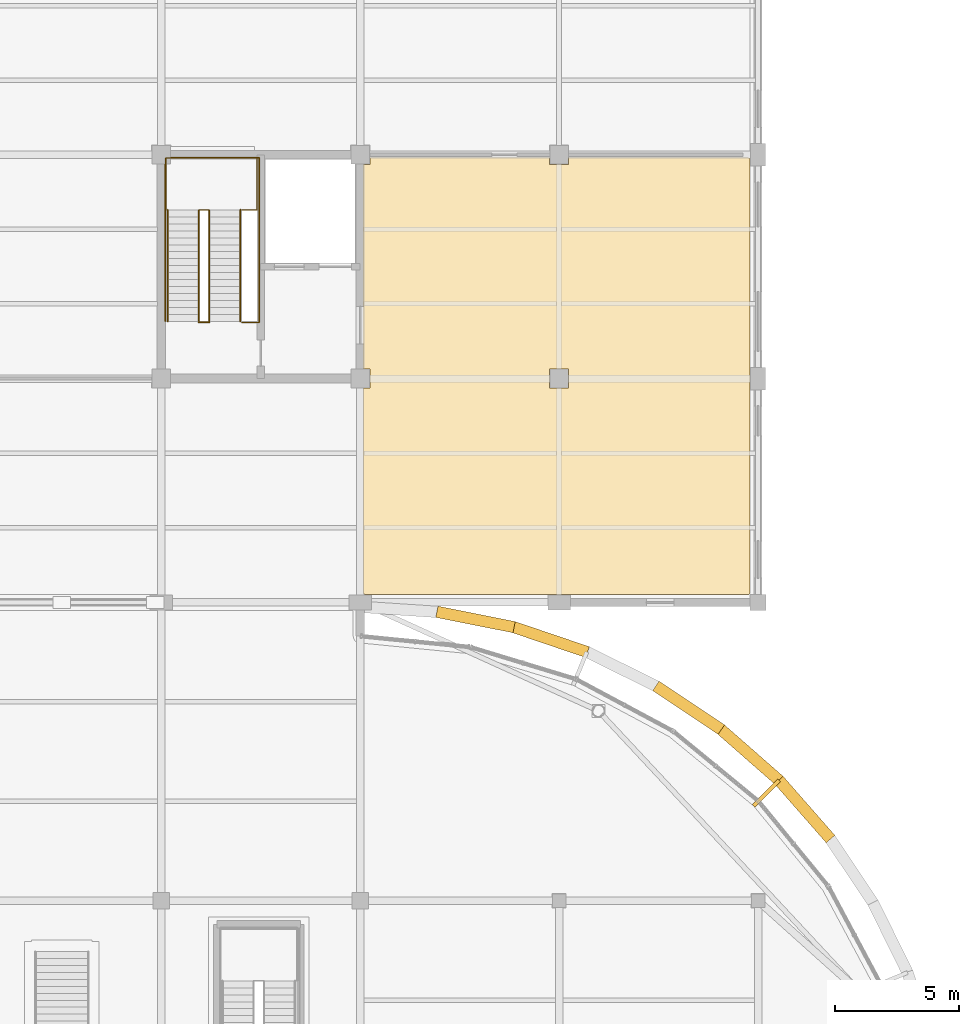
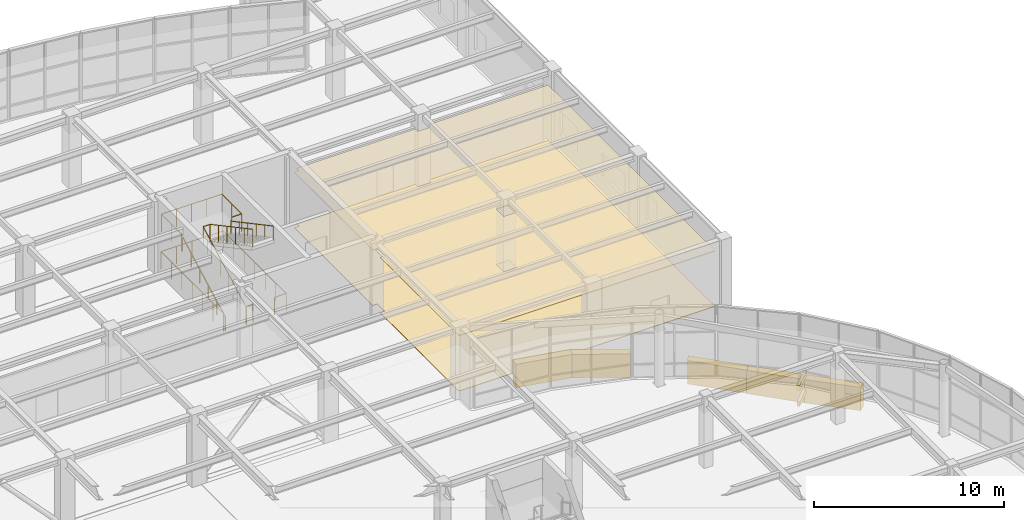
# One storey, part 70 of 72: 9 coverings, 6 railings.
"""IFC4 building model written with IfcOpenShell, lengths in metres."""

from ifc_helpers import new_model, si_unit, direction, frame, frame_2d, origin, origin_2d, place, context, subcontext, project, spatial, polyline, rectangle, circle, outline, extrude, material, layer, layer_set, type_object, element, save


model = new_model("IFC4")

# Units and contexts
model_context = context("Model", 3, precision=1e-05, world=origin(), true_north=direction((0.0, 1.0)))
body_context = subcontext(model_context, "Body", "Model", "MODEL_VIEW")
ifc_project = project(units=[si_unit("LENGTHUNIT", "METRE"), si_unit("AREAUNIT", "SQUARE_METRE"), si_unit("VOLUMEUNIT", "CUBIC_METRE"), si_unit("PLANEANGLEUNIT", "RADIAN"), si_unit("MASSUNIT", "GRAM", prefix="KILO")], contexts=[model_context])

# Site, building, storey
site_placement = place(None, origin())
site = spatial("IfcSite", under=ifc_project, at=site_placement, CompositionType="ELEMENT")
building_placement = place(site_placement, origin())
building = spatial("IfcBuilding", under=site, at=building_placement, Name="Keelwater Ferry Terminal", CompositionType="ELEMENT")
storey_placement = place(building_placement, frame((0.0, 0.0, 5.39990234375)))
storey = spatial("IfcBuildingStorey", under=building, at=storey_placement, Name="L01", CompositionType="ELEMENT", Elevation=5.39990234375)

# Coverings
ifc_material_1 = material(Name="Perforated acoustic gypsum board ceiling", Category="gypsum")
ifc_layer_1 = layer(ifc_material_1, 0.044921875)
ifc_layer_set_1 = layer_set([ifc_layer_1], Name="Perforated acoustic gypsum board ceiling")
covering_type_1 = type_object("IfcCoveringType", Name="CL-AC Acoustic Baffle Ceiling", PredefinedType="CEILING", material=ifc_layer_set_1)
covering_1_placement = place(storey_placement, frame((0.0, 0.0, 3.550048828125)))
element("IfcCovering", 1, at=covering_1_placement, inside=storey, type_object=covering_type_1, Name="Terminal Baggage Handling Store Acoustic Ceiling", PredefinedType="CEILING", context=body_context, shape_type="SweptSolid", body=[
    extrude(outline(polyline([(171.614990234375, 107.87890625), (171.614990234375, 107.614990234375), (172.385009765625, 107.614990234375), (172.385009765625, 107.87890625), (172.386962890625, 107.8798828125), (172.39501953125, 107.8798828125), (179.60009765625, 107.8798828125), (179.60791015625, 107.8798828125), (179.615966796875, 107.8779296875), (179.623046875, 107.876953125), (179.631103515625, 107.8740234375), (179.637939453125, 107.87109375), (179.64404296875, 107.866943359375), (179.65087890625, 107.862060546875), (179.656982421875, 107.85693359375), (179.662109375, 107.85107421875), (179.6669921875, 107.843994140625), (179.6708984375, 107.837890625), (179.674072265625, 107.8310546875), (179.677001953125, 107.822998046875), (179.677978515625, 107.81591796875), (179.679931640625, 107.80810546875), (179.679931640625, 107.800048828125), (179.679931640625, 90.39990234375), (179.679931640625, 90.39208984375), (179.677978515625, 90.384033203125), (179.677001953125, 90.376953125), (179.674072265625, 90.368896484375), (179.6708984375, 90.362060546875), (179.6669921875, 90.35595703125), (179.662109375, 90.34912109375), (179.656982421875, 90.343017578125), (179.65087890625, 90.337890625), (179.64404296875, 90.3330078125), (179.637939453125, 90.3291015625), (179.631103515625, 90.325927734375), (179.623046875, 90.322998046875), (179.615966796875, 90.322021484375), (179.60791015625, 90.320068359375), (179.60009765625, 90.320068359375), (164.199951171875, 90.320068359375), (164.19189453125, 90.320068359375), (164.18408203125, 90.322021484375), (164.177001953125, 90.322998046875), (164.1689453125, 90.325927734375), (164.162109375, 90.3291015625), (164.156005859375, 90.3330078125), (164.14892578125, 90.337890625), (164.14306640625, 90.343017578125), (164.137939453125, 90.34912109375), (164.133056640625, 90.35595703125), (164.12890625, 90.362060546875), (164.1259765625, 90.368896484375), (164.123046875, 90.376953125), (164.1220703125, 90.384033203125), (164.1201171875, 90.39208984375), (164.1201171875, 90.39990234375), (164.1201171875, 98.60498046875), (164.1201171875, 98.613037109375), (164.12109375, 98.614990234375), (164.385009765625, 98.614990234375), (164.385009765625, 99.385009765625), (164.12109375, 99.385009765625), (164.1201171875, 99.386962890625), (164.1201171875, 99.39501953125), (164.1201171875, 107.60498046875), (164.1201171875, 107.613037109375), (164.12109375, 107.614990234375), (164.385009765625, 107.614990234375), (164.385009765625, 107.87890625), (164.386962890625, 107.8798828125), (164.39501953125, 107.8798828125), (171.60498046875, 107.8798828125), (171.613037109375, 107.8798828125), (171.614990234375, 107.87890625)]), holes=[polyline([(171.614990234375, 99.385009765625), (171.614990234375, 98.614990234375), (172.385009765625, 98.614990234375), (172.385009765625, 99.385009765625), (171.614990234375, 99.385009765625)])]), origin(), (0.0, 0.0, 1.0), 0.045166015625),
])
ifc_material_2 = material(Name="Polished mineral terrazzo tile", Category="stone")
ifc_layer_2 = layer(ifc_material_2, 0.030029296875)
ifc_layer_set_2 = layer_set([ifc_layer_2], Name="Polished mineral terrazzo tile")
covering_type_2 = type_object("IfcCoveringType", Name="FL-TZ Marine Terrazzo Flooring", PredefinedType="FLOORING", material=ifc_layer_set_2)
covering_2_placement = place(storey_placement, origin())
element("IfcCovering", 2, at=covering_2_placement, inside=storey, type_object=covering_type_2, Name="Terminal Baggage Handling Store Terrazzo Floor", PredefinedType="FLOORING", context=body_context, shape_type="SweptSolid", body=[
    extrude(outline(polyline([(171.614990234375, 107.87890625), (171.614990234375, 107.614990234375), (172.385009765625, 107.614990234375), (172.385009765625, 107.87890625), (172.386962890625, 107.8798828125), (172.39501953125, 107.8798828125), (179.60009765625, 107.8798828125), (179.60791015625, 107.8798828125), (179.615966796875, 107.8779296875), (179.623046875, 107.876953125), (179.631103515625, 107.8740234375), (179.637939453125, 107.87109375), (179.64404296875, 107.866943359375), (179.65087890625, 107.862060546875), (179.656982421875, 107.85693359375), (179.662109375, 107.85107421875), (179.6669921875, 107.843994140625), (179.6708984375, 107.837890625), (179.674072265625, 107.8310546875), (179.677001953125, 107.822998046875), (179.677978515625, 107.81591796875), (179.679931640625, 107.80810546875), (179.679931640625, 107.800048828125), (179.679931640625, 90.39990234375), (179.679931640625, 90.39208984375), (179.677978515625, 90.384033203125), (179.677001953125, 90.376953125), (179.674072265625, 90.368896484375), (179.6708984375, 90.362060546875), (179.6669921875, 90.35595703125), (179.662109375, 90.34912109375), (179.656982421875, 90.343017578125), (179.65087890625, 90.337890625), (179.64404296875, 90.3330078125), (179.637939453125, 90.3291015625), (179.631103515625, 90.325927734375), (179.623046875, 90.322998046875), (179.615966796875, 90.322021484375), (179.60791015625, 90.320068359375), (179.60009765625, 90.320068359375), (164.199951171875, 90.320068359375), (164.19189453125, 90.320068359375), (164.18408203125, 90.322021484375), (164.177001953125, 90.322998046875), (164.1689453125, 90.325927734375), (164.162109375, 90.3291015625), (164.156005859375, 90.3330078125), (164.14892578125, 90.337890625), (164.14306640625, 90.343017578125), (164.137939453125, 90.34912109375), (164.133056640625, 90.35595703125), (164.12890625, 90.362060546875), (164.1259765625, 90.368896484375), (164.123046875, 90.376953125), (164.1220703125, 90.384033203125), (164.1201171875, 90.39208984375), (164.1201171875, 90.39990234375), (164.1201171875, 98.60498046875), (164.1201171875, 98.613037109375), (164.12109375, 98.614990234375), (164.385009765625, 98.614990234375), (164.385009765625, 99.385009765625), (164.12109375, 99.385009765625), (164.1201171875, 99.386962890625), (164.1201171875, 99.39501953125), (164.1201171875, 107.60498046875), (164.1201171875, 107.613037109375), (164.12109375, 107.614990234375), (164.385009765625, 107.614990234375), (164.385009765625, 107.87890625), (164.386962890625, 107.8798828125), (164.39501953125, 107.8798828125), (171.60498046875, 107.8798828125), (171.613037109375, 107.8798828125), (171.614990234375, 107.87890625)]), holes=[polyline([(171.614990234375, 99.385009765625), (171.614990234375, 98.614990234375), (172.385009765625, 98.614990234375), (172.385009765625, 99.385009765625), (171.614990234375, 99.385009765625)])]), origin(), (0.0, 0.0, 1.0), 0.030029296875),
])

# Railings
ifc_material_3 = material(Name="Painted Steel S355", Category="steel")
railing_type_1 = type_object("IfcRailingType", Name="GR-115 Stair Well Guardrail", PredefinedType="GUARDRAIL", material=ifc_material_3)
railing_1_placement = place(storey_placement, frame((157.510009765625, 101.260009765625, 0.0)))
element("IfcRailing", 3, at=railing_1_placement, inside=storey, type_object=railing_type_1, Name="Stair ST-C3-L00 Slot Threshold Guard 45", PredefinedType="GUARDRAIL", context=body_context, shape_type="SweptSolid", body=[
    extrude(circle(Radius=0.02392578125, at=origin_2d()), frame((0.0, 0.0, 1.1259765625), z_axis=(1.0, 0.0, 0.0), x_axis=(0.0, 1.0, 0.0)), (0.0, 0.0, 1.0), 0.419921875),
    extrude(circle(Radius=0.02099609375, at=origin_2d()), origin(), (0.0, 0.0, 1.0), 1.101806640625),
    extrude(circle(Radius=0.02099609375, at=origin_2d()), frame((0.419921875, 0.0, 0.0)), (0.0, 0.0, 1.0), 1.101806640625),
])
railing_2_placement = place(storey_placement, frame((156.159912109375, 101.300048828125, 0.0)))
element("IfcRailing", 4, at=railing_2_placement, inside=storey, type_object=railing_type_1, Name="Stair ST-C3-L00 Shaft Perimeter Guard 46", PredefinedType="GUARDRAIL", context=body_context, shape_type="SweptSolid", body=[
    extrude(circle(Radius=0.02392578125, at=origin_2d()), frame((0.0, 0.0, 1.1259765625), z_axis=(0.0, 1.0, 0.0), x_axis=(-1.0, 0.0, 0.0)), (0.0, 0.0, 1.0), 6.579833984375),
    extrude(circle(Radius=0.02392578125, at=origin_2d()), frame((0.0, 6.579833984375, 1.1259765625), z_axis=(1.0, 0.0, 0.0), x_axis=(0.0, 1.0, 0.0)), (0.0, 0.0, 1.0), 3.780029296875),
    extrude(circle(Radius=0.02392578125, at=origin_2d()), frame((3.780029296875, 6.579833984375, 1.1259765625), z_axis=(0.0, -1.0, 0.0), x_axis=(1.0, 0.0, 0.0)), (0.0, 0.0, 1.0), 6.619873046875),
    extrude(circle(Radius=0.02392578125, at=origin_2d()), frame((3.780029296875, -0.0400390625, 1.1259765625), z_axis=(-1.0, 0.0, 0.0), x_axis=(0.0, -1.0, 0.0)), (0.0, 0.0, 1.0), 0.699951171875),
    extrude(circle(Radius=0.02099609375, at=origin_2d()), origin(), (0.0, 0.0, 1.0), 1.101806640625),
    extrude(circle(Radius=0.02099609375, at=origin_2d()), frame((0.0, 1.0966796875, 0.0)), (0.0, 0.0, 1.0), 1.101806640625),
    extrude(circle(Radius=0.02099609375, at=origin_2d()), frame((0.0, 2.193359375, 0.0)), (0.0, 0.0, 1.0), 1.101806640625),
    extrude(circle(Radius=0.02099609375, at=origin_2d()), frame((0.0, 3.2900390625, 0.0)), (0.0, 0.0, 1.0), 1.101806640625),
    extrude(circle(Radius=0.02099609375, at=origin_2d()), frame((0.0, 4.386474609375, 0.0)), (0.0, 0.0, 1.0), 1.101806640625),
    extrude(circle(Radius=0.02099609375, at=origin_2d()), frame((0.0, 5.483154296875, 0.0)), (0.0, 0.0, 1.0), 1.101806640625),
    extrude(circle(Radius=0.02099609375, at=origin_2d()), frame((0.0, 6.579833984375, 0.0)), (0.0, 0.0, 1.0), 1.101806640625),
    extrude(circle(Radius=0.02099609375, at=origin_2d()), frame((0.945068359375, 6.579833984375, 0.0)), (0.0, 0.0, 1.0), 1.101806640625),
    extrude(circle(Radius=0.02099609375, at=origin_2d()), frame((1.89013671875, 6.579833984375, 0.0)), (0.0, 0.0, 1.0), 1.101806640625),
    extrude(circle(Radius=0.02099609375, at=origin_2d()), frame((2.8349609375, 6.579833984375, 0.0)), (0.0, 0.0, 1.0), 1.101806640625),
    extrude(circle(Radius=0.02099609375, at=origin_2d()), frame((3.780029296875, 6.579833984375, 0.0)), (0.0, 0.0, 1.0), 1.101806640625),
    extrude(circle(Radius=0.02099609375, at=origin_2d()), frame((3.780029296875, 5.4765625, 0.0)), (0.0, 0.0, 1.0), 1.101806640625),
    extrude(circle(Radius=0.02099609375, at=origin_2d()), frame((3.780029296875, 4.373291015625, 0.0)), (0.0, 0.0, 1.0), 1.101806640625),
    extrude(circle(Radius=0.02099609375, at=origin_2d()), frame((3.780029296875, 3.27001953125, 0.0)), (0.0, 0.0, 1.0), 1.101806640625),
    extrude(circle(Radius=0.02099609375, at=origin_2d()), frame((3.780029296875, 2.16650390625, 0.0)), (0.0, 0.0, 1.0), 1.101806640625),
    extrude(circle(Radius=0.02099609375, at=origin_2d()), frame((3.780029296875, 1.063232421875, 0.0)), (0.0, 0.0, 1.0), 1.101806640625),
    extrude(circle(Radius=0.02099609375, at=origin_2d()), frame((3.780029296875, -0.0400390625, 0.0)), (0.0, 0.0, 1.0), 1.101806640625),
    extrude(circle(Radius=0.02099609375, at=origin_2d()), frame((3.080078125, -0.0400390625, 0.0)), (0.0, 0.0, 1.0), 1.101806640625),
])
railing_3_placement = place(storey_placement, frame((157.510009765625, 101.300048828125, 0.0)))
element("IfcRailing", 5, at=railing_3_placement, inside=storey, type_object=railing_type_1, Name="Stair ST-C3-L01 Inner Well Guard 47", PredefinedType="GUARDRAIL", context=body_context, shape_type="SweptSolid", body=[
    extrude(circle(Radius=0.02392578125, at=origin_2d()), frame((0.0, 0.0, 1.1259765625), z_axis=(0.0, 0.881467115574, 0.472245406714), x_axis=(-1.0, 0.0, 0.0)), (0.0, 0.0, 1.0), 5.08251953125),
    extrude(circle(Radius=0.02392578125, at=origin_2d()), frame((0.0, 4.47998046875, 3.52587890625), z_axis=(1.0, 0.0, 0.0), x_axis=(0.0, 1.0, 0.0)), (0.0, 0.0, 1.0), 0.419921875),
    extrude(circle(Radius=0.02392578125, at=origin_2d()), frame((0.419921875, 4.47998046875, 3.52587890625), z_axis=(0.0, -0.881487111273, 0.472208081951), x_axis=(1.0, 0.0, 0.0)), (0.0, 0.0, 1.0), 5.082275390625),
    extrude(circle(Radius=0.02099609375, at=origin_2d()), origin(), (0.0, 0.0, 1.0), 1.101806640625),
    extrude(circle(Radius=0.02099609375, at=origin_2d()), frame((0.0, 0.89599609375, 0.47998046875)), (0.0, 0.0, 1.0), 1.101806640625),
    extrude(circle(Radius=0.02099609375, at=origin_2d()), frame((0.0, 1.7919921875, 0.9599609375)), (0.0, 0.0, 1.0), 1.101806640625),
    extrude(circle(Radius=0.02099609375, at=origin_2d()), frame((0.0, 2.68798828125, 1.440185546875)), (0.0, 0.0, 1.0), 1.101806640625),
    extrude(circle(Radius=0.02099609375, at=origin_2d()), frame((0.0, 3.583984375, 1.920166015625)), (0.0, 0.0, 1.0), 1.101806640625),
    extrude(circle(Radius=0.02099609375, at=origin_2d()), frame((0.0, 4.47998046875, 2.400146484375)), (0.0, 0.0, 1.0), 1.101806640625),
    extrude(circle(Radius=0.02099609375, at=origin_2d()), frame((0.419921875, 4.47998046875, 2.400146484375)), (0.0, 0.0, 1.0), 1.101806640625),
    extrude(circle(Radius=0.02099609375, at=origin_2d()), frame((0.419921875, 3.583984375, 2.880126953125)), (0.0, 0.0, 1.0), 1.101806640625),
    extrude(circle(Radius=0.02099609375, at=origin_2d()), frame((0.419921875, 2.68798828125, 3.360107421875)), (0.0, 0.0, 1.0), 1.101806640625),
    extrude(circle(Radius=0.02099609375, at=origin_2d()), frame((0.419921875, 1.7919921875, 3.840087890625)), (0.0, 0.0, 1.0), 1.101806640625),
    extrude(circle(Radius=0.02099609375, at=origin_2d()), frame((0.419921875, 0.89599609375, 4.320068359375)), (0.0, 0.0, 1.0), 1.101806640625),
    extrude(circle(Radius=0.02099609375, at=origin_2d()), frame((0.419921875, 0.0, 4.800048828125)), (0.0, 0.0, 1.0), 1.101806640625),
])
railing_4_placement = place(storey_placement, frame((156.199951171875, 105.780029296875, 2.400146484375)))
element("IfcRailing", 6, at=railing_4_placement, inside=storey, type_object=railing_type_1, Name="Stair ST-C3-L01 Half-Landing Guard 48", PredefinedType="GUARDRAIL", context=body_context, shape_type="SweptSolid", body=[
    extrude(circle(Radius=0.02392578125, at=origin_2d()), frame((0.0, 0.0, 1.1259765625), z_axis=(-1.0, 0.0, 0.0), x_axis=(0.0, -1.0, 0.0)), (0.0, 0.0, 1.0), 0.02001953125),
    extrude(circle(Radius=0.02392578125, at=origin_2d()), frame((-0.02001953125, 0.0, 1.1259765625), z_axis=(0.0, 1.0, 0.0), x_axis=(-1.0, 0.0, 0.0)), (0.0, 0.0, 1.0), 2.090087890625),
    extrude(circle(Radius=0.02392578125, at=origin_2d()), frame((-0.02001953125, 2.090087890625, 1.1259765625), z_axis=(1.0, 0.0, 0.0), x_axis=(0.0, 1.0, 0.0)), (0.0, 0.0, 1.0), 3.670166015625),
    extrude(circle(Radius=0.02392578125, at=origin_2d()), frame((3.650146484375, 2.090087890625, 1.1259765625), z_axis=(0.0, -1.0, 0.0), x_axis=(1.0, 0.0, 0.0)), (0.0, 0.0, 1.0), 2.090087890625),
    extrude(circle(Radius=0.02392578125, at=origin_2d()), frame((3.650146484375, 0.0, 1.1259765625), z_axis=(-1.0, 0.0, 0.0), x_axis=(0.0, -1.0, 0.0)), (0.0, 0.0, 1.0), 0.610107421875),
    extrude(circle(Radius=0.02099609375, at=origin_2d()), origin(), (0.0, 0.0, 1.0), 1.101806640625),
    extrude(circle(Radius=0.02099609375, at=origin_2d()), frame((-0.02001953125, 0.0, 0.0)), (0.0, 0.0, 1.0), 1.101806640625),
    extrude(circle(Radius=0.02099609375, at=origin_2d()), frame((-0.02001953125, 1.044921875, 0.0)), (0.0, 0.0, 1.0), 1.101806640625),
    extrude(circle(Radius=0.02099609375, at=origin_2d()), frame((-0.02001953125, 2.090087890625, 0.0)), (0.0, 0.0, 1.0), 1.101806640625),
    extrude(circle(Radius=0.02099609375, at=origin_2d()), frame((0.8974609375, 2.090087890625, 0.0)), (0.0, 0.0, 1.0), 1.101806640625),
    extrude(circle(Radius=0.02099609375, at=origin_2d()), frame((1.81494140625, 2.090087890625, 0.0)), (0.0, 0.0, 1.0), 1.101806640625),
    extrude(circle(Radius=0.02099609375, at=origin_2d()), frame((2.732666015625, 2.090087890625, 0.0)), (0.0, 0.0, 1.0), 1.101806640625),
    extrude(circle(Radius=0.02099609375, at=origin_2d()), frame((3.650146484375, 2.090087890625, 0.0)), (0.0, 0.0, 1.0), 1.101806640625),
    extrude(circle(Radius=0.02099609375, at=origin_2d()), frame((3.650146484375, 1.044921875, 0.0)), (0.0, 0.0, 1.0), 1.101806640625),
    extrude(circle(Radius=0.02099609375, at=origin_2d()), frame((3.650146484375, 0.0, 0.0)), (0.0, 0.0, 1.0), 1.101806640625),
    extrude(circle(Radius=0.02099609375, at=origin_2d()), frame((3.0400390625, 0.0, 0.0)), (0.0, 0.0, 1.0), 1.101806640625),
])
ifc_material_4 = material(Name="Brushed stainless steel handrail", Category="steel")
railing_type_2 = type_object("IfcRailingType", Name="HR-920 Stair Pitch Handrail", PredefinedType="HANDRAIL", material=ifc_material_4)
railing_5_placement = place(storey_placement, frame((156.260009765625, 101.300048828125, 0.0)))
element("IfcRailing", 7, at=railing_5_placement, inside=storey, type_object=railing_type_2, Name="Stair ST-C3-L01 Flight 1 Handrail 49", PredefinedType="HANDRAIL", context=body_context, shape_type="SweptSolid", body=[
    extrude(circle(Radius=0.02392578125, at=origin_2d()), frame((0.0, 0.0, 0.89599609375), z_axis=(0.0, 0.881467115574, 0.472245406714), x_axis=(-1.0, 0.0, 0.0)), (0.0, 0.0, 1.0), 5.08251953125),
    extrude(circle(Radius=0.02099609375, at=origin_2d()), origin(), (0.0, 0.0, 1.0), 0.871826171875),
    extrude(circle(Radius=0.02099609375, at=origin_2d()), frame((0.0, 0.89599609375, 0.47998046875)), (0.0, 0.0, 1.0), 0.871826171875),
    extrude(circle(Radius=0.02099609375, at=origin_2d()), frame((0.0, 1.7919921875, 0.9599609375)), (0.0, 0.0, 1.0), 0.871826171875),
    extrude(circle(Radius=0.02099609375, at=origin_2d()), frame((0.0, 2.68798828125, 1.440185546875)), (0.0, 0.0, 1.0), 0.871826171875),
    extrude(circle(Radius=0.02099609375, at=origin_2d()), frame((0.0, 3.583984375, 1.920166015625)), (0.0, 0.0, 1.0), 0.871826171875),
    extrude(circle(Radius=0.02099609375, at=origin_2d()), frame((0.0, 4.47998046875, 2.400146484375)), (0.0, 0.0, 1.0), 0.871826171875),
])
railing_6_placement = place(storey_placement, frame((159.179931640625, 105.780029296875, 2.400146484375)))
element("IfcRailing", 8, at=railing_6_placement, inside=storey, type_object=railing_type_2, Name="Stair ST-C3-L01 Flight 2 Handrail 50", PredefinedType="HANDRAIL", context=body_context, shape_type="SweptSolid", body=[
    extrude(circle(Radius=0.02392578125, at=origin_2d()), frame((0.0, 0.0, 0.89599609375), z_axis=(0.0, -0.881487111273, 0.472208081951), x_axis=(1.0, 0.0, 0.0)), (0.0, 0.0, 1.0), 5.082275390625),
    extrude(circle(Radius=0.02099609375, at=origin_2d()), origin(), (0.0, 0.0, 1.0), 0.871826171875),
    extrude(circle(Radius=0.02099609375, at=origin_2d()), frame((0.0, -0.89599609375, 0.47998046875)), (0.0, 0.0, 1.0), 0.871826171875),
    extrude(circle(Radius=0.02099609375, at=origin_2d()), frame((0.0, -1.7919921875, 0.9599609375)), (0.0, 0.0, 1.0), 0.871826171875),
    extrude(circle(Radius=0.02099609375, at=origin_2d()), frame((0.0, -2.68798828125, 1.43994140625)), (0.0, 0.0, 1.0), 0.871826171875),
    extrude(circle(Radius=0.02099609375, at=origin_2d()), frame((0.0, -3.583984375, 1.919921875)), (0.0, 0.0, 1.0), 0.871826171875),
    extrude(circle(Radius=0.02099609375, at=origin_2d()), frame((0.0, -4.47998046875, 2.39990234375)), (0.0, 0.0, 1.0), 0.871826171875),
])

# Coverings
ifc_material_5 = material(Name="Matte white architectural aluminium fascia ribbon", Category="aluminium")
ifc_layer_3 = layer(ifc_material_5, 0.1201171875)
ifc_layer_set_3 = layer_set([ifc_layer_3], Name="Matte white architectural aluminium fascia ribbon")
covering_type_3 = type_object("IfcCoveringType", Name="RB-WHT Matte White Fascia Ribbon", PredefinedType="CLADDING", material=ifc_layer_set_3)
covering_3_placement = place(storey_placement, frame((182.9140625, 80.48193359375, -1.89990234375), z_axis=(0.0, 0.0, 1.0), x_axis=(-0.65931776004, 0.75186441018, 0.0)))
element("IfcCovering", 9, at=covering_3_placement, inside=storey, type_object=covering_type_3, Name="Concourse Lower Wave Fascia Ribbon 730", PredefinedType="CLADDING", context=body_context, shape_type="SweptSolid", body=[
    extrude(outline(polyline([(0.0, 0.199951171875), (3.16552734375, 0.0), (3.16552734375, 1.5), (0.0, 1.699951171875), (0.0, 0.199951171875)])), frame((0.0, 0.22998046875, 0.0), z_axis=(0.0, -1.0, 0.0), x_axis=(1.0, 0.0, 0.0)), (0.0, 0.0, 1.0), 0.4599609375),
])
covering_4_placement = place(storey_placement, frame((180.862060546875, 82.826904296875, -1.89990234375), z_axis=(0.0, 0.0, 1.0), x_axis=(-0.75186441018, 0.65931776004, 0.0)))
element("IfcCovering", 10, at=covering_4_placement, inside=storey, type_object=covering_type_3, Name="Concourse Lower Wave Fascia Ribbon 734", PredefinedType="CLADDING", context=body_context, shape_type="SweptSolid", body=[
    extrude(outline(polyline([(0.0, 0.0), (3.16552734375, 0.177978515625), (3.16552734375, 1.677978515625), (0.0, 1.5), (0.0, 0.0)])), frame((0.0, 0.22998046875, 0.0), z_axis=(0.0, -1.0, 0.0), x_axis=(1.0, 0.0, 0.0)), (0.0, 0.0, 1.0), 0.4599609375),
])
covering_5_placement = place(storey_placement, frame((180.843017578125, 82.843017578125, -1.289794921875), z_axis=(0.0, 0.0, 1.0), x_axis=(-0.707106781187, -0.707106781187, 0.0)))
element("IfcCovering", 11, at=covering_5_placement, inside=storey, type_object=covering_type_3, Name="Ribbon Horizontal Tie Bracket 738", PredefinedType="CLADDING", context=body_context, shape_type="SweptSolid", body=[
    extrude(rectangle(XDim=1.449462890625, YDim=0.159912109375, at=frame_2d((0.724609375, 0.0))), origin(), (0.0, 0.0, 1.0), 0.27978515625),
])
covering_6_placement = place(storey_placement, frame((180.843017578125, 82.843017578125, -0.25), z_axis=(0.0, 0.0, 1.0), x_axis=(-0.707106781187, -0.707106781187, 0.0)))
element("IfcCovering", 12, at=covering_6_placement, inside=storey, type_object=covering_type_3, Name="Ribbon Slab Tie Bracket 741", PredefinedType="CLADDING", context=body_context, shape_type="SweptSolid", body=[
    extrude(rectangle(XDim=1.449462890625, YDim=0.159912109375, at=frame_2d((0.724609375, 0.0))), origin(), (0.0, 0.0, 1.0), 0.300048828125),
])
covering_7_placement = place(storey_placement, frame((178.52197265625, 84.884033203125, -1.721923828125), z_axis=(0.0, 0.0, 1.0), x_axis=(-0.831516144614, 0.55550058618, 0.0)))
element("IfcCovering", 13, at=covering_7_placement, inside=storey, type_object=covering_type_3, Name="Concourse Lower Wave Fascia Ribbon 746", PredefinedType="CLADDING", context=body_context, shape_type="SweptSolid", body=[
    extrude(outline(polyline([(0.0, 0.0), (3.16650390625, 0.47705078125), (3.16650390625, 1.97705078125), (0.0, 1.5), (0.0, 0.0)])), frame((0.0, 0.22998046875, 0.0), z_axis=(0.0, -1.0, 0.0), x_axis=(1.0, 0.0, 0.0)), (0.0, 0.0, 1.0), 0.4599609375),
])
covering_8_placement = place(storey_placement, frame((173.139892578125, 87.9990234375, -0.681884765625), z_axis=(0.0, 0.0, 1.0), x_axis=(-0.94701262585, 0.321196336342, 0.0)))
element("IfcCovering", 14, at=covering_8_placement, inside=storey, type_object=covering_type_3, Name="Concourse Lower Wave Fascia Ribbon 754", PredefinedType="CLADDING", context=body_context, shape_type="SweptSolid", body=[
    extrude(outline(polyline([(0.0, 0.0), (3.16650390625, 0.39990234375), (3.16650390625, 1.89990234375), (0.0, 1.5), (0.0, 0.0)])), frame((0.0, 0.22998046875, 0.0), z_axis=(0.0, -1.0, 0.0), x_axis=(1.0, 0.0, 0.0)), (0.0, 0.0, 1.0), 0.4599609375),
])
covering_9_placement = place(storey_placement, frame((170.18994140625, 89.0029296875, -0.281982421875), z_axis=(0.0, 0.0, 1.0), x_axis=(-0.98076407959, 0.195196875454, 0.0)))
element("IfcCovering", 15, at=covering_9_placement, inside=storey, type_object=covering_type_3, Name="Concourse Lower Wave Fascia Ribbon 764", PredefinedType="CLADDING", context=body_context, shape_type="SweptSolid", body=[
    extrude(outline(polyline([(0.0, 0.0), (3.1669921875, 0.05810546875), (3.1669921875, 1.55810546875), (0.0, 1.5), (0.0, 0.0)])), frame((0.0, 0.22998046875, 0.0), z_axis=(0.0, -1.0, 0.0), x_axis=(1.0, 0.0, 0.0)), (0.0, 0.0, 1.0), 0.4599609375),
])

save(model, "model.ifc")
